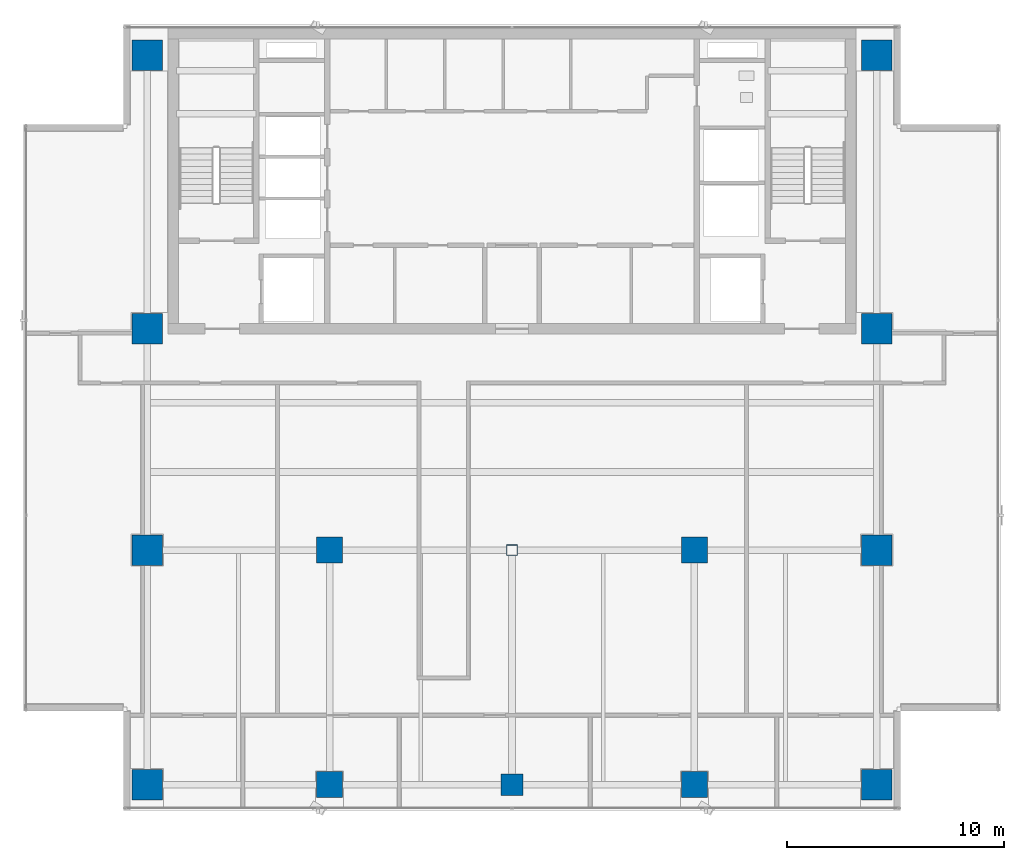
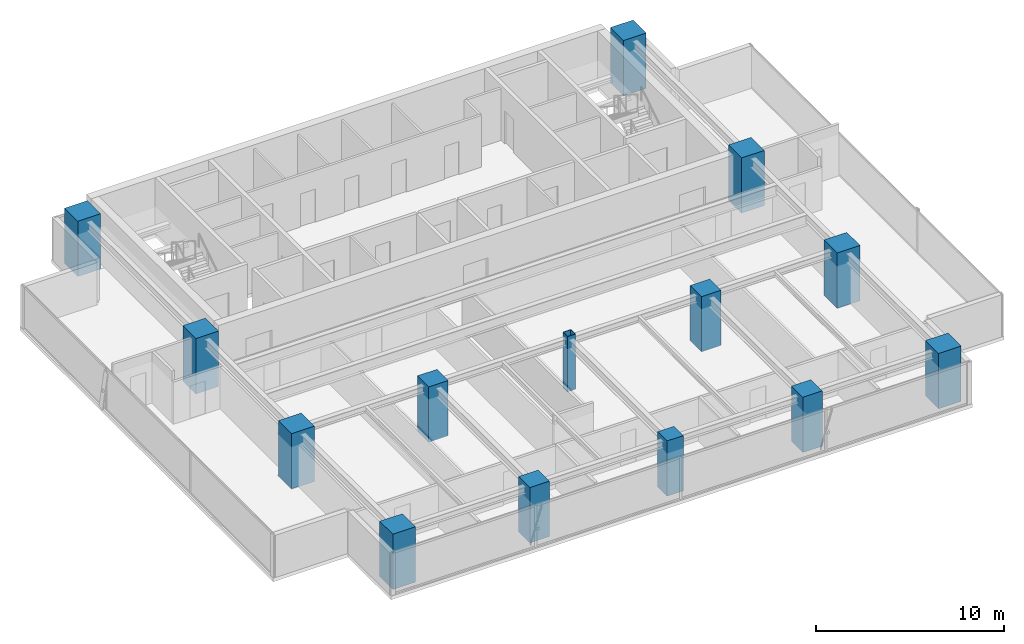
# One storey, part 1 of 27: 14 columns.
"""IFC4 building model written with IfcOpenShell, lengths in metres."""

from ifc_helpers import new_model, si_unit, direction, frame, origin, origin_with_axes, origin_2d, place, context, subcontext, project, spatial, rectangle, hollow_rectangle, extrude, source, transform, mapped, material, material_profile, profile_set, type_object, element, save


model = new_model("IFC4")

# Units and contexts
model_context = context("Model", 3, precision=1e-05, world=origin(), true_north=direction((0.0, 1.0)))
body_context = subcontext(model_context, "Body", "Model", "MODEL_VIEW")
ifc_project = project(units=[si_unit("LENGTHUNIT", "METRE"), si_unit("AREAUNIT", "SQUARE_METRE"), si_unit("VOLUMEUNIT", "CUBIC_METRE"), si_unit("PLANEANGLEUNIT", "RADIAN"), si_unit("MASSUNIT", "GRAM", prefix="KILO")], contexts=[model_context])

# Site, building, storey
site_placement = place(None, origin())
site = spatial("IfcSite", under=ifc_project, at=site_placement, CompositionType="ELEMENT")
building_placement = place(site_placement, origin())
building = spatial("IfcBuilding", under=site, at=building_placement, Name="Sumidabori Civic Tower", CompositionType="ELEMENT")
storey_placement = place(building_placement, frame((0.0, 0.0, 257.60009765625)))
storey = spatial("IfcBuildingStorey", under=building, at=storey_placement, Name="L67", CompositionType="ELEMENT", Elevation=257.60009765625)

# Columns
ifc_material_1 = material(Name="Concrete C60/75", Category="concrete")
ifc_material_profile_1 = material_profile(ifc_material_1, rectangle(XDim=1.39990234375, YDim=1.39990234375, at=origin_2d()), Name="RC 1400x1400")
ifc_profile_set_1 = profile_set([ifc_material_profile_1], Name="Concrete C60/75")
column_type_1 = type_object("IfcColumnType", Name="CL-MEGA-1400", PredefinedType="COLUMN", material=ifc_profile_set_1)
shared_shape_1 = source(origin(), body_context, "Body", "SweptSolid", [
    extrude(rectangle(XDim=1.39990234375, YDim=1.39990234375, at=origin_2d()), origin(), (0.0, 0.0, 1.0), 3.599853515625),
])
for number, where, z_axis, x_axis, name in (
    (1, (-16.800048828125, -10.800048828125, 0.0), (0.0, 0.0, 1.0), (1.0, 0.0, 0.0), "Column MC-W16-Y11S L67"),
    (2, (-16.800048828125, 0.0, 0.0), (0.0, 0.0, 1.0), (1.0, 0.0, 0.0), "Column MC-W16-Y00 L67"),
    (3, (-16.800048828125, 10.199951171875, 0.0), (0.0, 0.0, 1.0), (1.0, 0.0, 0.0), "Column MC-W16-Y10N L67"),
    (4, (-16.800048828125, 22.800048828125, 0.0), (0.0, 0.0, 1.0), (1.0, 0.0, 0.0), "Column MC-W16-Y23N L67"),
    (5, (16.800048828125, -10.800048828125, 0.0), (0.0, 0.0, 1.0), (1.0, 0.0, 0.0), "Column MC-E16-Y11S L67"),
    (6, (16.800048828125, 0.0, 0.0), (0.0, 0.0, 1.0), (1.0, 0.0, 0.0), "Column MC-E16-Y00 L67"),
    (7, (16.800048828125, 10.199951171875, 0.0), (0.0, 0.0, 1.0), (1.0, 0.0, 0.0), "Column MC-E16-Y10N L67"),
    (8, (16.800048828125, 22.800048828125, 0.0), (0.0, 0.0, 1.0), (1.0, 0.0, 0.0), "Column MC-E16-Y23N L67"),
):
    element("IfcColumn", number, at=place(storey_placement, frame(where, z_axis=z_axis, x_axis=x_axis)), inside=storey, type_object=column_type_1, Name=name, PredefinedType="COLUMN", context=body_context, shape_type="MappedRepresentation", body=[
        mapped(shared_shape_1, transform((0.0, 0.0, 0.0), x_axis=(1.0, 0.0, 0.0), y_axis=(0.0, 1.0, 0.0), z_axis=(0.0, 0.0, 1.0), scale=1.0)),
    ])
ifc_material_2 = material(Name="Concrete C50/60", Category="concrete")
ifc_material_profile_2 = material_profile(ifc_material_2, rectangle(XDim=1.0, YDim=1.0, at=origin_2d()), Name="RC 1000x1000")
ifc_profile_set_2 = profile_set([ifc_material_profile_2], Name="Concrete C50/60")
column_type_2 = type_object("IfcColumnType", Name="CL-INT-1000", PredefinedType="COLUMN", material=ifc_profile_set_2)
shared_shape_2 = source(origin(), body_context, "Body", "SweptSolid", [
    extrude(rectangle(XDim=1.0, YDim=1.0, at=origin_2d()), origin(), (0.0, 0.0, 1.0), 3.599853515625),
])
column_1_placement = place(storey_placement, frame((0.0, -10.800048828125, 0.0), z_axis=(0.0, 0.0, 1.0), x_axis=(1.0, 0.0, 0.0)))
element("IfcColumn", 9, at=column_1_placement, inside=storey, type_object=column_type_2, Name="Column MC-C00-Y11S L67", PredefinedType="COLUMN", context=body_context, shape_type="MappedRepresentation", body=[
    mapped(shared_shape_2, transform((0.0, 0.0, 0.0), x_axis=(1.0, 0.0, 0.0), y_axis=(0.0, 1.0, 0.0), z_axis=(0.0, 0.0, 1.0), scale=1.0)),
])
ifc_material_profile_3 = material_profile(ifc_material_2, rectangle(XDim=1.199951171875, YDim=1.199951171875, at=origin_2d()), Name="RC 1200x1200")
ifc_profile_set_3 = profile_set([ifc_material_profile_3], Name="Concrete C50/60")
column_type_3 = type_object("IfcColumnType", Name="CL-MEGA-1200", PredefinedType="COLUMN", material=ifc_profile_set_3)
shared_shape_3 = source(origin(), body_context, "Body", "SweptSolid", [
    extrude(rectangle(XDim=1.199951171875, YDim=1.199951171875, at=origin_2d()), origin(), (0.0, 0.0, 1.0), 3.599853515625),
])
for number, where, z_axis, x_axis, name in (
    (10, (-8.39990234375, 0.0, 0.0), (0.0, 0.0, 1.0), (1.0, 0.0, 0.0), "Column MC-W08-Y00 L67"),
    (11, (-8.39990234375, -10.800048828125, 0.0), (0.0, 0.0, 1.0), (1.0, 0.0, 0.0), "Column MC-W08-Y11S L67"),
    (12, (8.39990234375, 0.0, 0.0), (0.0, 0.0, 1.0), (1.0, 0.0, 0.0), "Column MC-E08-Y00 L67"),
    (13, (8.39990234375, -10.800048828125, 0.0), (0.0, 0.0, 1.0), (1.0, 0.0, 0.0), "Column MC-E08-Y11S L67"),
):
    element("IfcColumn", number, at=place(storey_placement, frame(where, z_axis=z_axis, x_axis=x_axis)), inside=storey, type_object=column_type_3, Name=name, PredefinedType="COLUMN", context=body_context, shape_type="MappedRepresentation", body=[
        mapped(shared_shape_3, transform((0.0, 0.0, 0.0), x_axis=(1.0, 0.0, 0.0), y_axis=(0.0, 1.0, 0.0), z_axis=(0.0, 0.0, 1.0), scale=1.0)),
    ])
ifc_material_3 = material(Name="Steel SN490", Category="steel")
ifc_material_profile_4 = material_profile(ifc_material_3, hollow_rectangle(XDim=0.5, YDim=0.5, WallThickness=0.02490234375, at=origin_2d()), Name="SHS 500x500x25")
ifc_profile_set_4 = profile_set([ifc_material_profile_4], Name="Steel SN490")
column_type_4 = type_object("IfcColumnType", Name="CL-CRN-SHS500", PredefinedType="COLUMN", material=ifc_profile_set_4)
shared_shape_4 = source(origin(), body_context, "Body", "SweptSolid", [
    extrude(hollow_rectangle(XDim=0.5, YDim=0.5, WallThickness=0.02490234375, at=origin_2d()), origin(), (0.0, 0.0, 1.0), 3.599853515625),
])
column_2_placement = place(storey_placement, origin_with_axes())
element("IfcColumn", 14, at=column_2_placement, inside=storey, type_object=column_type_4, Name="Column MC-C00-Y00 L67", PredefinedType="COLUMN", context=body_context, shape_type="MappedRepresentation", body=[
    mapped(shared_shape_4, transform((0.0, 0.0, 0.0), x_axis=(1.0, 0.0, 0.0), y_axis=(0.0, 1.0, 0.0), z_axis=(0.0, 0.0, 1.0), scale=1.0)),
])

save(model, "model.ifc")
